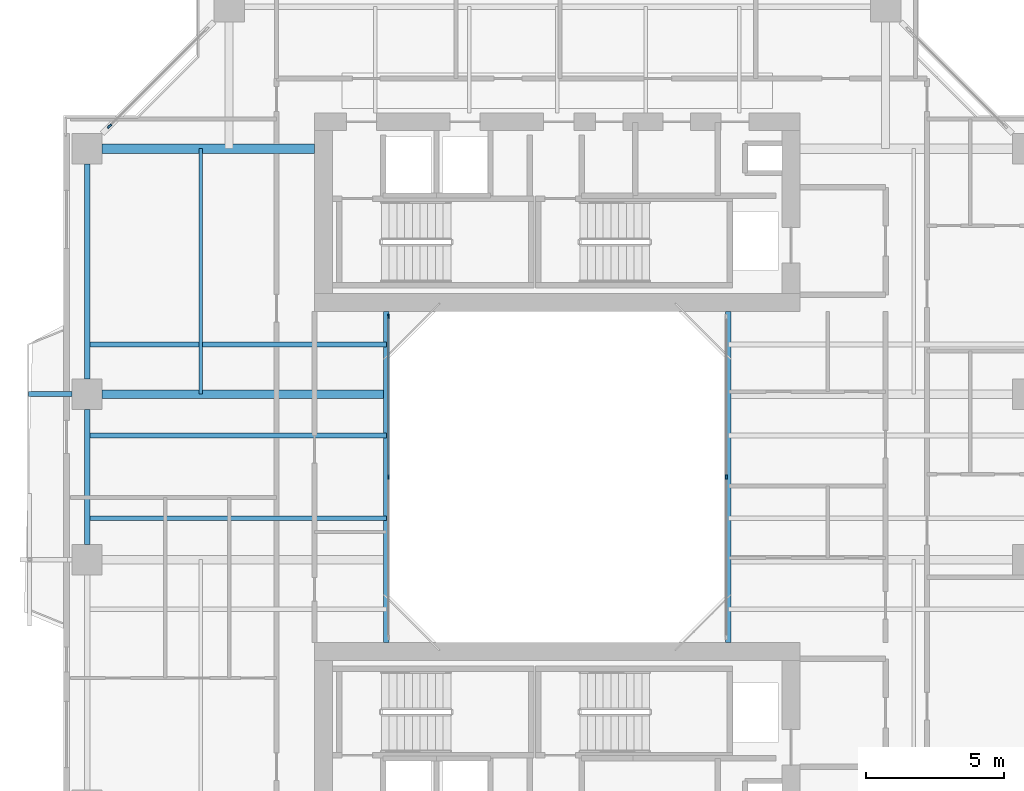
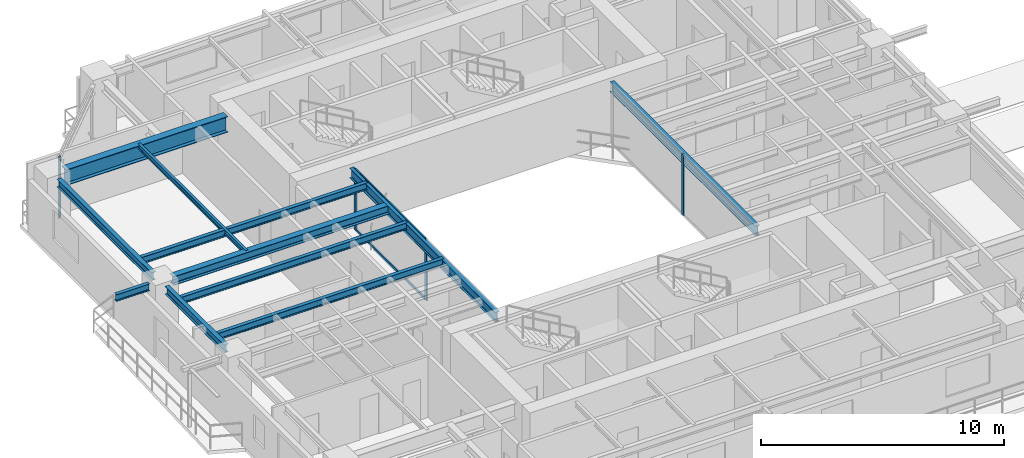
# One storey, part 5 of 23: 11 beams, 6 members, 3 elements without a shape of their own.
"""IFC4 building model written with IfcOpenShell, lengths in metres."""

from ifc_helpers import new_model, si_unit, direction, frame, origin, origin_2d, place, context, subcontext, project, spatial, rectangle, i_section, extrude, source, transform, mapped, material, layer, layer_set, material_profile, profile_set, type_object, element, aggregate, save


model = new_model("IFC4")

# Units and contexts
model_context = context("Model", 3, precision=1e-05, world=origin(), true_north=direction((0.0, 1.0)))
body_context = subcontext(model_context, "Body", "Model", "MODEL_VIEW")
ifc_project = project(units=[si_unit("LENGTHUNIT", "METRE"), si_unit("AREAUNIT", "SQUARE_METRE"), si_unit("VOLUMEUNIT", "CUBIC_METRE"), si_unit("PLANEANGLEUNIT", "RADIAN"), si_unit("MASSUNIT", "GRAM", prefix="KILO"), si_unit("THERMODYNAMICTEMPERATUREUNIT", "KELVIN"), si_unit("POWERUNIT", "WATT")], contexts=[model_context])

# Site, building, storey
site_placement = place(None, origin())
site = spatial("IfcSite", under=ifc_project, at=site_placement, CompositionType="ELEMENT")
building_placement = place(site_placement, origin())
building = spatial("IfcBuilding", under=site, at=building_placement, Name="Qiaomeng Ring Towers", CompositionType="ELEMENT")
storey_placement = place(building_placement, frame((0.0, 0.0, 97.0)))
storey = spatial("IfcBuildingStorey", under=building, at=storey_placement, Name="L27", CompositionType="ELEMENT", Elevation=97.0)

# Beams
ifc_material_1 = material(Name="Steel Q355B", Category="steel")
ifc_material_profile_1 = material_profile(ifc_material_1, i_section(OverallWidth=0.199951171875, OverallDepth=0.5, WebThickness=0.010009765625, FlangeThickness=0.01611328125, FilletRadius=0.02001953125, at=origin_2d()), Name="HN 500x200x10x16")
ifc_profile_set_1 = profile_set([ifc_material_profile_1], Name="Steel Q355B")
beam_type_1 = type_object("IfcBeamType", Name="STR-BM-HN500", PredefinedType="BEAM", material=ifc_profile_set_1)
shared_shape_1 = source(origin(), body_context, "Body", "SweptSolid", [
    extrude(i_section(OverallWidth=0.199951171875, OverallDepth=0.5, WebThickness=0.010009765625, FlangeThickness=0.01611328125, FilletRadius=0.02001953125, at=origin_2d()), origin(), (0.0, 0.0, 1.0), 12.0),
])
for number, where, z_axis, x_axis, name in (
    (1, (12.800048828125, 17.0, 2.820068359375), (0.0, 1.0, 0.0), (-1.0, 0.0, 0.0), "L27 beam STR-BM-L27-WELL-W"),
    (2, (25.199951171875, 17.0, 2.820068359375), (0.0, 1.0, 0.0), (-1.0, 0.0, 0.0), "L27 beam STR-BM-L27-WELL-E"),
):
    element("IfcBeam", number, at=place(storey_placement, frame(where, z_axis=z_axis, x_axis=x_axis)), inside=storey, type_object=beam_type_1, Name=name, PredefinedType="BEAM", context=body_context, shape_type="MappedRepresentation", body=[
        mapped(shared_shape_1, transform((0.0, 0.0, 0.0), x_axis=(1.0, 0.0, 0.0), y_axis=(0.0, 1.0, 0.0), z_axis=(0.0, 0.0, 1.0), scale=1.0)),
    ])
ifc_material_profile_2 = material_profile(ifc_material_1, i_section(OverallWidth=0.199951171875, OverallDepth=0.39990234375, WebThickness=0.008056640625, FlangeThickness=0.012939453125, FilletRadius=0.01611328125, at=origin_2d()), Name="HN 400x200x8x13")
ifc_profile_set_2 = profile_set([ifc_material_profile_2], Name="Steel Q355B")
beam_type_2 = type_object("IfcBeamType", Name="STR-BM-HN400", PredefinedType="SPANDREL", material=ifc_profile_set_2)
shared_shape_2 = source(origin(), body_context, "Body", "SweptSolid", [
    extrude(i_section(OverallWidth=0.199951171875, OverallDepth=0.39990234375, WebThickness=0.008056640625, FlangeThickness=0.012939453125, FilletRadius=0.01611328125, at=origin_2d()), origin(), (0.0, 0.0, 1.0), 7.802001953125),
])
beam_1_placement = place(storey_placement, frame((1.949951171875, 34.35107421875, 2.8701171875), z_axis=(0.0, -1.0, 0.0), x_axis=(1.0, 0.0, 0.0)))
element("IfcBeam", 3, at=beam_1_placement, inside=storey, type_object=beam_type_2, Name="L27 beam STR-SP-L27-T1-W4-W3", PredefinedType="SPANDREL", context=body_context, shape_type="MappedRepresentation", body=[
    mapped(shared_shape_2, transform((0.0, 0.0, 0.0), x_axis=(1.0, 0.0, 0.0), y_axis=(0.0, 1.0, 0.0), z_axis=(0.0, 0.0, 1.0), scale=1.0)),
])
shared_shape_3 = source(origin(), body_context, "Body", "SweptSolid", [
    extrude(i_section(OverallWidth=0.199951171875, OverallDepth=0.39990234375, WebThickness=0.008056640625, FlangeThickness=0.012939453125, FilletRadius=0.01611328125, at=origin_2d()), origin(), (0.0, 0.0, 1.0), 4.90185546875),
])
beam_2_placement = place(storey_placement, frame((1.949951171875, 25.450927734375, 2.8701171875), z_axis=(0.0, -1.0, 0.0), x_axis=(1.0, 0.0, 0.0)))
element("IfcBeam", 4, at=beam_2_placement, inside=storey, type_object=beam_type_2, Name="L27 beam STR-SP-L27-T1-W3-W2", PredefinedType="SPANDREL", context=body_context, shape_type="MappedRepresentation", body=[
    mapped(shared_shape_3, transform((0.0, 0.0, 0.0), x_axis=(1.0, 0.0, 0.0), y_axis=(0.0, 1.0, 0.0), z_axis=(0.0, 0.0, 1.0), scale=1.0)),
])
ifc_material_2 = material(Name="Steel Q390GJC", Category="steel")
ifc_material_profile_3 = material_profile(ifc_material_2, i_section(OverallWidth=0.35009765625, OverallDepth=0.800048828125, WebThickness=0.01611328125, FlangeThickness=0.028076171875, at=origin_2d()), Name="WH 800x350x16x28")
ifc_profile_set_3 = profile_set([ifc_material_profile_3], Name="Steel Q390GJC")
beam_type_3 = type_object("IfcBeamType", Name="STR-BM-WH800", PredefinedType="BEAM", material=ifc_profile_set_3)
shared_shape_4 = source(origin(), body_context, "Body", "SweptSolid", [
    extrude(i_section(OverallWidth=0.35009765625, OverallDepth=0.800048828125, WebThickness=0.01611328125, FlangeThickness=0.028076171875, at=origin_2d()), origin(), (0.0, 0.0, 1.0), 7.700927734375),
])
beam_3_placement = place(storey_placement, frame((2.4990234375, 34.89990234375, 2.669921875), z_axis=(1.0, 0.0, 0.0), x_axis=(0.0, 1.0, 0.0)))
element("IfcBeam", 5, at=beam_3_placement, inside=storey, type_object=beam_type_3, Name="L27 beam STR-BM-L27-T1-RAD-W4", PredefinedType="BEAM", context=body_context, shape_type="MappedRepresentation", body=[
    mapped(shared_shape_4, transform((0.0, 0.0, 0.0), x_axis=(1.0, 0.0, 0.0), y_axis=(0.0, 1.0, 0.0), z_axis=(0.0, 0.0, 1.0), scale=1.0)),
])
ifc_material_profile_4 = material_profile(ifc_material_1, i_section(OverallWidth=0.300048828125, OverallDepth=0.43994140625, WebThickness=0.010986328125, FlangeThickness=0.01806640625, FilletRadius=0.02392578125, at=origin_2d()), Name="HM 440x300x11x18")
ifc_profile_set_4 = profile_set([ifc_material_profile_4], Name="Steel Q355B")
beam_type_4 = type_object("IfcBeamType", Name="STR-BM-HM440", PredefinedType="BEAM", material=ifc_profile_set_4)
shared_shape_5 = source(origin(), body_context, "Body", "SweptSolid", [
    extrude(i_section(OverallWidth=0.300048828125, OverallDepth=0.43994140625, WebThickness=0.010986328125, FlangeThickness=0.01806640625, FilletRadius=0.02392578125, at=origin_2d()), origin(), (0.0, 0.0, 1.0), 10.301025390625),
])
beam_4_placement = place(storey_placement, frame((2.4990234375, 26.0, 2.85009765625), z_axis=(1.0, 0.0, 0.0), x_axis=(0.0, 1.0, 0.0)))
element("IfcBeam", 6, at=beam_4_placement, inside=storey, type_object=beam_type_4, Name="L27 beam STR-BM-L27-T1-RAD-W3", PredefinedType="BEAM", context=body_context, shape_type="MappedRepresentation", body=[
    mapped(shared_shape_5, transform((0.0, 0.0, 0.0), x_axis=(1.0, 0.0, 0.0), y_axis=(0.0, 1.0, 0.0), z_axis=(0.0, 0.0, 1.0), scale=1.0)),
])
ifc_material_profile_5 = material_profile(ifc_material_1, i_section(OverallWidth=0.175048828125, OverallDepth=0.35009765625, WebThickness=0.007080078125, FlangeThickness=0.010986328125, FilletRadius=0.013916015625, at=origin_2d()), Name="HN 350x175x7x11")
ifc_profile_set_5 = profile_set([ifc_material_profile_5], Name="Steel Q355B")
beam_type_5 = type_object("IfcBeamType", Name="STR-BM-HN350", PredefinedType="JOIST", material=ifc_profile_set_5)
shared_shape_6 = source(origin(), body_context, "Body", "SweptSolid", [
    extrude(i_section(OverallWidth=0.175048828125, OverallDepth=0.35009765625, WebThickness=0.007080078125, FlangeThickness=0.010986328125, FilletRadius=0.013916015625, at=origin_2d()), origin(), (0.0, 0.0, 1.0), 10.85009765625),
])
for number, where, z_axis, x_axis, name in (
    (7, (1.949951171875, 21.5, 2.89501953125), (1.0, 0.0, 0.0), (0.0, 1.0, 0.0), "L27 beam STR-JST-L27-T1W-2"),
    (8, (1.949951171875, 24.5, 2.89501953125), (1.0, 0.0, 0.0), (0.0, 1.0, 0.0), "L27 beam STR-JST-L27-T1W-3"),
    (9, (1.949951171875, 27.800048828125, 2.89501953125), (1.0, 0.0, 0.0), (0.0, 1.0, 0.0), "L27 beam STR-JST-L27-T1W-4"),
):
    element("IfcBeam", number, at=place(storey_placement, frame(where, z_axis=z_axis, x_axis=x_axis)), inside=storey, type_object=beam_type_5, Name=name, PredefinedType="JOIST", context=body_context, shape_type="MappedRepresentation", body=[
        mapped(shared_shape_6, transform((0.0, 0.0, 0.0), x_axis=(1.0, 0.0, 0.0), y_axis=(0.0, 1.0, 0.0), z_axis=(0.0, 0.0, 1.0), scale=1.0)),
    ])
ifc_material_profile_6 = material_profile(ifc_material_1, i_section(OverallWidth=0.125, OverallDepth=0.25, WebThickness=0.006103515625, FlangeThickness=0.009033203125, FilletRadius=0.011962890625, at=origin_2d()), Name="HN 250x125x6x9")
ifc_profile_set_6 = profile_set([ifc_material_profile_6], Name="Steel Q355B")
beam_type_6 = type_object("IfcBeamType", Name="STR-BM-HN250", PredefinedType="JOIST", material=ifc_profile_set_6)
shared_shape_7 = source(origin(), body_context, "Body", "SweptSolid", [
    extrude(i_section(OverallWidth=0.125, OverallDepth=0.25, WebThickness=0.006103515625, FlangeThickness=0.009033203125, FilletRadius=0.011962890625, at=origin_2d()), origin(), (0.0, 0.0, 1.0), 8.89990234375),
])
beam_5_placement = place(storey_placement, frame((6.074951171875, 26.0, 2.945068359375), z_axis=(0.0, 1.0, 0.0), x_axis=(-1.0, 0.0, 0.0)))
element("IfcBeam", 10, at=beam_5_placement, inside=storey, type_object=beam_type_6, Name="L27 beam STR-JST-L27-T1C-WN", PredefinedType="JOIST", context=body_context, shape_type="MappedRepresentation", body=[
    mapped(shared_shape_7, transform((0.0, 0.0, 0.0), x_axis=(1.0, 0.0, 0.0), y_axis=(0.0, 1.0, 0.0), z_axis=(0.0, 0.0, 1.0), scale=1.0)),
])
shared_shape_8 = source(origin(), body_context, "Body", "SweptSolid", [
    extrude(i_section(OverallWidth=0.175048828125, OverallDepth=0.35009765625, WebThickness=0.007080078125, FlangeThickness=0.010986328125, FilletRadius=0.013916015625, at=origin_2d()), origin(), (0.0, 0.0, 1.0), 1.580810546875),
])
beam_6_placement = place(storey_placement, frame((-0.179931640625, 26.0, 2.89501953125), z_axis=(1.0, 0.0, 0.0), x_axis=(0.0, 1.0, 0.0)))
element("IfcBeam", 11, at=beam_6_placement, inside=storey, type_object=beam_type_5, Name="L27 beam STR-BALBM-L27-W3", PredefinedType="JOIST", context=body_context, shape_type="MappedRepresentation", body=[
    mapped(shared_shape_8, transform((0.0, 0.0, 0.0), x_axis=(1.0, 0.0, 0.0), y_axis=(0.0, 1.0, 0.0), z_axis=(0.0, 0.0, 1.0), scale=1.0)),
])

# Curtain wall, members
ifc_material_3 = material(Name="Fluorocarbon dark-grey aluminium", Category="aluminium")
ifc_layer_1 = layer(ifc_material_3, 0.139892578125, Name="Fluorocarbon dark-grey aluminium")
ifc_layer_set_1 = layer_set([ifc_layer_1], Name="Fluorocarbon dark-grey aluminium")
curtain_wall_type_1 = type_object("IfcCurtainWallType", Name="ARC-CW-4", PredefinedType="NOTDEFINED", material=ifc_layer_set_1)
curtain_wall_1_placement = place(storey_placement, origin())
curtain_wall_1 = element("IfcCurtainWall", 12, at=curtain_wall_1_placement, inside=storey, type_object=curtain_wall_type_1, Name="L27 Curtain Wall CW4", PredefinedType="NOTDEFINED")
ifc_material_profile_7 = material_profile(ifc_material_3, rectangle(XDim=0.06494140625, YDim=0.159912109375, at=origin_2d()), Name="ALU MULL 65x160")
ifc_profile_set_7 = profile_set([ifc_material_profile_7], Name="Fluorocarbon dark-grey aluminium")
member_type_1 = type_object("IfcMemberType", Name="ARC-CWM-140", PredefinedType="MULLION", material=ifc_profile_set_7)
shared_shape_9 = source(origin(), body_context, "Body", "SweptSolid", [
    extrude(rectangle(XDim=0.06494140625, YDim=0.159912109375, at=origin_2d()), origin(), (0.0, 0.0, 1.0), 3.070068359375),
])
member_1_placement = place(storey_placement, frame((12.8798828125, 23.0, 0.0), z_axis=(0.0, 0.0, 1.0), x_axis=(-1.0, 0.0, 0.0)))
member_1 = element("IfcMember", 13, at=member_1_placement, type_object=member_type_1, Name="CW4 mullion 2", PredefinedType="MULLION", context=body_context, shape_type="MappedRepresentation", body=[
    mapped(shared_shape_9, transform((0.0, 0.0, 0.0), x_axis=(1.0, 0.0, 0.0), y_axis=(0.0, 1.0, 0.0), z_axis=(0.0, 0.0, 1.0), scale=1.0)),
])
member_2_placement = place(storey_placement, frame((12.8798828125, 28.8173828125, 0.0), z_axis=(0.0, 0.0, 1.0), x_axis=(-1.0, 0.0, 0.0)))
member_2 = element("IfcMember", 14, at=member_2_placement, type_object=member_type_1, Name="CW4 mullion 3", PredefinedType="MULLION", context=body_context, shape_type="MappedRepresentation", body=[
    mapped(shared_shape_9, transform((0.0, 0.0, 0.0), x_axis=(1.0, 0.0, 0.0), y_axis=(0.0, 1.0, 0.0), z_axis=(0.0, 0.0, 1.0), scale=1.0)),
])

# Curtain wall, member
curtain_wall_2_placement = place(storey_placement, origin())
curtain_wall_2 = element("IfcCurtainWall", 15, at=curtain_wall_2_placement, inside=storey, type_object=curtain_wall_type_1, Name="L27 Curtain Wall CW4", PredefinedType="NOTDEFINED")
member_3_placement = place(storey_placement, frame((25.1201171875, 23.0, 0.0), z_axis=(0.0, 0.0, 1.0), x_axis=(-1.0, 0.0, 0.0)))
member_3 = element("IfcMember", 16, at=member_3_placement, type_object=member_type_1, Name="CW4 mullion 2", PredefinedType="MULLION", context=body_context, shape_type="MappedRepresentation", body=[
    mapped(shared_shape_9, transform((0.0, 0.0, 0.0), x_axis=(1.0, 0.0, 0.0), y_axis=(0.0, 1.0, 0.0), z_axis=(0.0, 0.0, 1.0), scale=1.0)),
])
aggregate(curtain_wall_2, [member_3])

# Member
ifc_material_profile_8 = material_profile(ifc_material_3, rectangle(XDim=0.06494140625, YDim=0.1298828125, at=origin_2d()), Name="ALU TRAN 65x130")
ifc_profile_set_8 = profile_set([ifc_material_profile_8], Name="Fluorocarbon dark-grey aluminium")
member_type_2 = type_object("IfcMemberType", Name="ARC-CWT-120", PredefinedType="USERDEFINED", material=ifc_profile_set_8)
shared_shape_10 = source(origin(), body_context, "Body", "SweptSolid", [
    extrude(rectangle(XDim=0.06494140625, YDim=0.1298828125, at=origin_2d()), origin(), (0.0, 0.0, 1.0), 5.75244140625),
])
member_4_placement = place(storey_placement, frame((12.8798828125, 23.032470703125, 0.032470703125), z_axis=(0.0, 1.0, 0.0), x_axis=(-1.0, 0.0, 0.0)))
member_4 = element("IfcMember", 17, at=member_4_placement, type_object=member_type_2, Name="CW4 transom 2.1", ObjectType="TRANSOM", PredefinedType="USERDEFINED", context=body_context, shape_type="MappedRepresentation", body=[
    mapped(shared_shape_10, transform((0.0, 0.0, 0.0), x_axis=(1.0, 0.0, 0.0), y_axis=(0.0, 1.0, 0.0), z_axis=(0.0, 0.0, 1.0), scale=1.0)),
])

member_5_placement = place(storey_placement, frame((12.8798828125, 23.032470703125, 3.03759765625), z_axis=(0.0, 1.0, 0.0), x_axis=(-1.0, 0.0, 0.0)))
member_5 = element("IfcMember", 18, at=member_5_placement, type_object=member_type_2, Name="CW4 transom 2.2", ObjectType="TRANSOM", PredefinedType="USERDEFINED", context=body_context, shape_type="MappedRepresentation", body=[
    mapped(shared_shape_10, transform((0.0, 0.0, 0.0), x_axis=(1.0, 0.0, 0.0), y_axis=(0.0, 1.0, 0.0), z_axis=(0.0, 0.0, 1.0), scale=1.0)),
])

aggregate(curtain_wall_1, [member_1, member_2, member_4, member_5])

# Curtain wall, member
ifc_layer_2 = layer(ifc_material_3, 0.14990234375, Name="Fluorocarbon dark-grey aluminium")
ifc_layer_set_2 = layer_set([ifc_layer_2], Name="Fluorocarbon dark-grey aluminium")
curtain_wall_type_2 = type_object("IfcCurtainWallType", Name="ARC-CW-3", PredefinedType="NOTDEFINED", material=ifc_layer_set_2)
curtain_wall_3_placement = place(storey_placement, origin())
curtain_wall_3 = element("IfcCurtainWall", 19, at=curtain_wall_3_placement, inside=storey, type_object=curtain_wall_type_2, Name="L27 Curtain Wall CW3", PredefinedType="NOTDEFINED")
ifc_material_profile_9 = material_profile(ifc_material_3, rectangle(XDim=0.070068359375, YDim=0.179931640625, at=origin_2d()), Name="ALU MULL 70x180")
ifc_profile_set_9 = profile_set([ifc_material_profile_9], Name="Fluorocarbon dark-grey aluminium")
member_type_3 = type_object("IfcMemberType", Name="ARC-CWM-160", PredefinedType="MULLION", material=ifc_profile_set_9)
shared_shape_11 = source(origin(), body_context, "Body", "SweptSolid", [
    extrude(rectangle(XDim=0.070068359375, YDim=0.179931640625, at=origin_2d()), origin(), (0.0, 0.0, 1.0), 3.070068359375),
])
member_6_placement = place(storey_placement, frame((2.7646484375, 35.71484375, 0.0), z_axis=(0.0, 0.0, 1.0), x_axis=(0.707106781187, -0.707106781187, 0.0)))
member_6 = element("IfcMember", 20, at=member_6_placement, type_object=member_type_3, Name="CW3 mullion 2", PredefinedType="MULLION", context=body_context, shape_type="MappedRepresentation", body=[
    mapped(shared_shape_11, transform((0.0, 0.0, 0.0), x_axis=(1.0, 0.0, 0.0), y_axis=(0.0, 1.0, 0.0), z_axis=(0.0, 0.0, 1.0), scale=1.0)),
])
aggregate(curtain_wall_3, [member_6])

save(model, "model.ifc")
